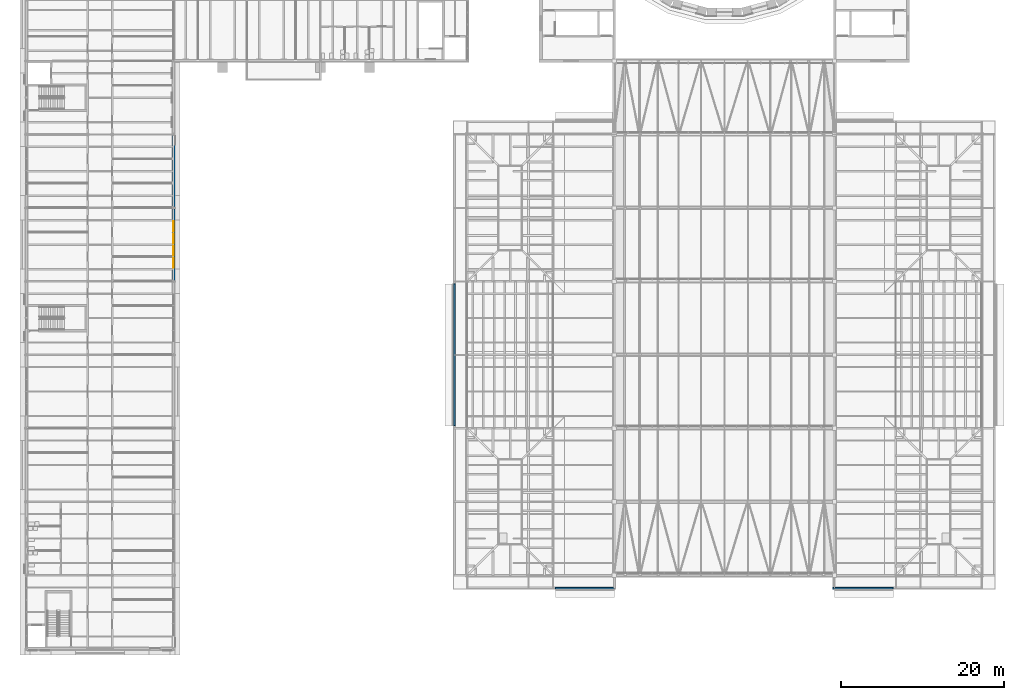
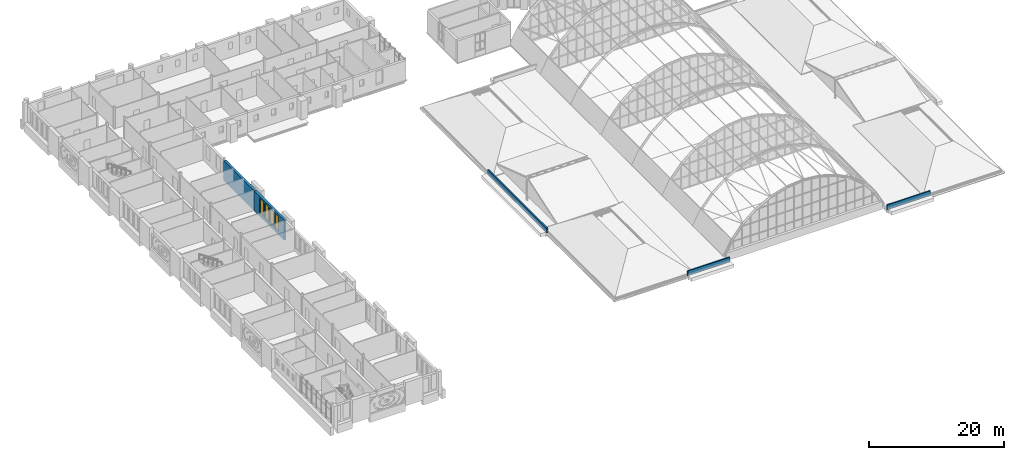
# One storey, part 90 of 121: 5 walls, 4 windows, 4 openings.
"""IFC4 building model written with IfcOpenShell, lengths in metres."""

from ifc_helpers import new_model, si_unit, direction, frame, frame_2d, origin, place, context, subcontext, project, spatial, rectangle, extrude, material, layer, layer_set, type_object, element, fill, save


model = new_model("IFC4")

# Units and contexts
model_context = context("Model", 3, precision=1e-05, world=origin(), true_north=direction((0.0, 1.0)))
body_context = subcontext(model_context, "Body", "Model", "MODEL_VIEW")
ifc_project = project(units=[si_unit("LENGTHUNIT", "METRE"), si_unit("AREAUNIT", "SQUARE_METRE"), si_unit("VOLUMEUNIT", "CUBIC_METRE"), si_unit("PLANEANGLEUNIT", "RADIAN"), si_unit("MASSUNIT", "GRAM", prefix="KILO")], contexts=[model_context])

# Site, building, storey
site_placement = place(None, origin())
site = spatial("IfcSite", under=ifc_project, at=site_placement, CompositionType="ELEMENT")
building_placement = place(site_placement, origin())
building = spatial("IfcBuilding", under=site, at=building_placement, Name="Golden Quay Civic Hall", CompositionType="ELEMENT")
storey_placement = place(building_placement, frame((0.0, 0.0, 18.60009765625)))
storey = spatial("IfcBuildingStorey", under=building, at=storey_placement, Name="L04", CompositionType="ELEMENT", Elevation=18.60009765625)

# Walls
ifc_material_1 = material(Name="Brick, dark clay facing", Category="masonry")
ifc_layer_1 = layer(ifc_material_1, 0.199951171875)
ifc_layer_set_1 = layer_set([ifc_layer_1], Name="Parapet 200 x 900")
wall_type_1 = type_object("IfcWallType", Name="Parapet 200 x 900", PredefinedType="PARAPET", material=ifc_layer_set_1)
wall_1_placement = place(storey_placement, frame((52.39990234375, 18.300048828125, 0.0), z_axis=(0.0, 0.0, 1.0), x_axis=(0.0, 1.0, 0.0)))
element("IfcWall", 1, at=wall_1_placement, inside=storey, type_object=wall_type_1, Name="Parapet 200 x 900 L04 1", PredefinedType="PARAPET", context=body_context, shape_type="SweptSolid", body=[
    extrude(rectangle(XDim=17.39990234375, YDim=0.199951171875, at=frame_2d((8.699951171875, 0.0))), origin(), (0.0, 0.0, 1.0), 0.89990234375),
])
wall_2_placement = place(storey_placement, frame((72.0, -1.60009765625, 0.0), z_axis=(0.0, 0.0, 1.0), x_axis=(-1.0, 0.0, 0.0)))
element("IfcWall", 2, at=wall_2_placement, inside=storey, type_object=wall_type_1, Name="Parapet 200 x 900 L04 3", PredefinedType="PARAPET", context=body_context, shape_type="SweptSolid", body=[
    extrude(rectangle(XDim=7.199951171875, YDim=0.199951171875, at=frame_2d((3.60009765625, 0.0))), origin(), (0.0, 0.0, 1.0), 0.89990234375),
])
wall_3_placement = place(storey_placement, frame((106.199951171875, -1.60009765625, 0.0), z_axis=(0.0, 0.0, 1.0), x_axis=(-1.0, 0.0, 0.0)))
element("IfcWall", 3, at=wall_3_placement, inside=storey, type_object=wall_type_1, Name="Parapet 200 x 900 L04 6", PredefinedType="PARAPET", context=body_context, shape_type="SweptSolid", body=[
    extrude(rectangle(XDim=7.39990234375, YDim=0.199951171875, at=frame_2d((3.699951171875, 0.0))), origin(), (0.0, 0.0, 1.0), 0.89990234375),
])

# Wall, openings, windows
ifc_material_2 = material(Name="Clay block, rendered, cream")
ifc_layer_2 = layer(ifc_material_2, 0.39990234375)
ifc_layer_set_2 = layer_set([ifc_layer_2], Name="Rendered block external wall 400")
wall_type_2 = type_object("IfcWallType", Name="Rendered block external wall 400", PredefinedType="STANDARD", material=ifc_layer_set_2)
wall_4_placement = place(storey_placement, frame((18.0, 44.885009765625, 0.0), z_axis=(0.0, 0.0, 1.0), x_axis=(0.0, -1.0, 0.0)))
wall_4 = element("IfcWall", 4, at=wall_4_placement, inside=storey, type_object=wall_type_2, Name="Rendered block external wall 400 L04 17", PredefinedType="STANDARD", context=body_context, shape_type="SweptSolid", body=[
    extrude(rectangle(XDim=8.77001953125, YDim=0.39990234375, at=frame_2d((4.385009765625, 0.0))), origin(), (0.0, 0.0, 1.0), 3.599853515625),
])
opening_1_placement = place(wall_4_placement, frame((6.034912109375, 0.0, 0.60009765625)))
opening_1 = element("IfcOpeningElement", 5, at=opening_1_placement, cuts=wall_4, Name="Opening WN8", PredefinedType="OPENING", context=body_context, shape_type="SweptSolid", body=[
    extrude(rectangle(XDim=1.199951171875, YDim=2.699951171875, at=frame_2d((0.60009765625, 1.35009765625))), frame((0.0, 0.2099609375, 0.0), z_axis=(0.0, -1.0, 0.0), x_axis=(1.0, 0.0, 0.0)), (0.0, 0.0, 1.0), 0.419921875),
])
opening_2_placement = place(wall_4_placement, frame((4.534912109375, 0.0, 0.60009765625)))
opening_2 = element("IfcOpeningElement", 6, at=opening_2_placement, cuts=wall_4, Name="Opening WN8", PredefinedType="OPENING", context=body_context, shape_type="SweptSolid", body=[
    extrude(rectangle(XDim=1.199951171875, YDim=2.699951171875, at=frame_2d((0.60009765625, 1.35009765625))), frame((0.0, 0.2099609375, 0.0), z_axis=(0.0, -1.0, 0.0), x_axis=(1.0, 0.0, 0.0)), (0.0, 0.0, 1.0), 0.419921875),
])
opening_3_placement = place(wall_4_placement, frame((3.034912109375, 0.0, 0.60009765625)))
opening_3 = element("IfcOpeningElement", 7, at=opening_3_placement, cuts=wall_4, Name="Opening WN8", PredefinedType="OPENING", context=body_context, shape_type="SweptSolid", body=[
    extrude(rectangle(XDim=1.199951171875, YDim=2.699951171875, at=frame_2d((0.60009765625, 1.35009765625))), frame((0.0, 0.2099609375, 0.0), z_axis=(0.0, -1.0, 0.0), x_axis=(1.0, 0.0, 0.0)), (0.0, 0.0, 1.0), 0.419921875),
])
opening_4_placement = place(wall_4_placement, frame((1.534912109375, 0.0, 0.60009765625)))
opening_4 = element("IfcOpeningElement", 8, at=opening_4_placement, cuts=wall_4, Name="Opening WN8", PredefinedType="OPENING", context=body_context, shape_type="SweptSolid", body=[
    extrude(rectangle(XDim=1.199951171875, YDim=2.699951171875, at=frame_2d((0.60009765625, 1.35009765625))), frame((0.0, 0.2099609375, 0.0), z_axis=(0.0, -1.0, 0.0), x_axis=(1.0, 0.0, 0.0)), (0.0, 0.0, 1.0), 0.419921875),
])
ifc_material_3 = material(Name="Aluminium frame, double glazed", Category="aluminium")
window_type = type_object("IfcWindowType", Name="Golden grid window 1200 x 2700", PartitioningType="SINGLE_PANEL", PredefinedType="WINDOW", material=ifc_material_3)
window_1_placement = place(opening_1_placement, origin())
window_1 = element("IfcWindow", 9, at=window_1_placement, inside=storey, type_object=window_type, Name="Golden grid window 1200 x 2700 L04 30", OverallHeight=2.699951171875, OverallWidth=1.199951171875, PartitioningType="SINGLE_PANEL", PredefinedType="WINDOW", context=body_context, shape_type="SweptSolid", body=[
    extrude(rectangle(XDim=1.199951171875, YDim=2.699951171875, at=frame_2d((0.60009765625, 1.35009765625))), frame((0.0, 0.030029296875, 0.0), z_axis=(0.0, -1.0, 0.0), x_axis=(1.0, 0.0, 0.0)), (0.0, 0.0, 1.0), 0.06005859375),
])
fill(opening_1, window_1)
window_2_placement = place(opening_2_placement, origin())
window_2 = element("IfcWindow", 10, at=window_2_placement, inside=storey, type_object=window_type, Name="Golden grid window 1200 x 2700 L04 31", OverallHeight=2.699951171875, OverallWidth=1.199951171875, PartitioningType="SINGLE_PANEL", PredefinedType="WINDOW", context=body_context, shape_type="SweptSolid", body=[
    extrude(rectangle(XDim=1.199951171875, YDim=2.699951171875, at=frame_2d((0.60009765625, 1.35009765625))), frame((0.0, 0.030029296875, 0.0), z_axis=(0.0, -1.0, 0.0), x_axis=(1.0, 0.0, 0.0)), (0.0, 0.0, 1.0), 0.06005859375),
])
fill(opening_2, window_2)
window_3_placement = place(opening_3_placement, origin())
window_3 = element("IfcWindow", 11, at=window_3_placement, inside=storey, type_object=window_type, Name="Golden grid window 1200 x 2700 L04 32", OverallHeight=2.699951171875, OverallWidth=1.199951171875, PartitioningType="SINGLE_PANEL", PredefinedType="WINDOW", context=body_context, shape_type="SweptSolid", body=[
    extrude(rectangle(XDim=1.199951171875, YDim=2.699951171875, at=frame_2d((0.60009765625, 1.35009765625))), frame((0.0, 0.030029296875, 0.0), z_axis=(0.0, -1.0, 0.0), x_axis=(1.0, 0.0, 0.0)), (0.0, 0.0, 1.0), 0.06005859375),
])
fill(opening_3, window_3)
window_4_placement = place(opening_4_placement, origin())
window_4 = element("IfcWindow", 12, at=window_4_placement, inside=storey, type_object=window_type, Name="Golden grid window 1200 x 2700 L04 33", OverallHeight=2.699951171875, OverallWidth=1.199951171875, PartitioningType="SINGLE_PANEL", PredefinedType="WINDOW", context=body_context, shape_type="SweptSolid", body=[
    extrude(rectangle(XDim=1.199951171875, YDim=2.699951171875, at=frame_2d((0.60009765625, 1.35009765625))), frame((0.0, 0.030029296875, 0.0), z_axis=(0.0, -1.0, 0.0), x_axis=(1.0, 0.0, 0.0)), (0.0, 0.0, 1.0), 0.06005859375),
])
fill(opening_4, window_4)

# Wall
wall_5_placement = place(storey_placement, frame((18.0, 53.885009765625, 0.0), z_axis=(0.0, 0.0, 1.0), x_axis=(0.0, -1.0, 0.0)))
element("IfcWall", 13, at=wall_5_placement, inside=storey, type_object=wall_type_2, Name="Rendered block external wall 400 L04 18", PredefinedType="STANDARD", context=body_context, shape_type="SweptSolid", body=[
    extrude(rectangle(XDim=8.77001953125, YDim=0.39990234375, at=frame_2d((4.385009765625, 0.0))), origin(), (0.0, 0.0, 1.0), 3.599853515625),
])

save(model, "model.ifc")
